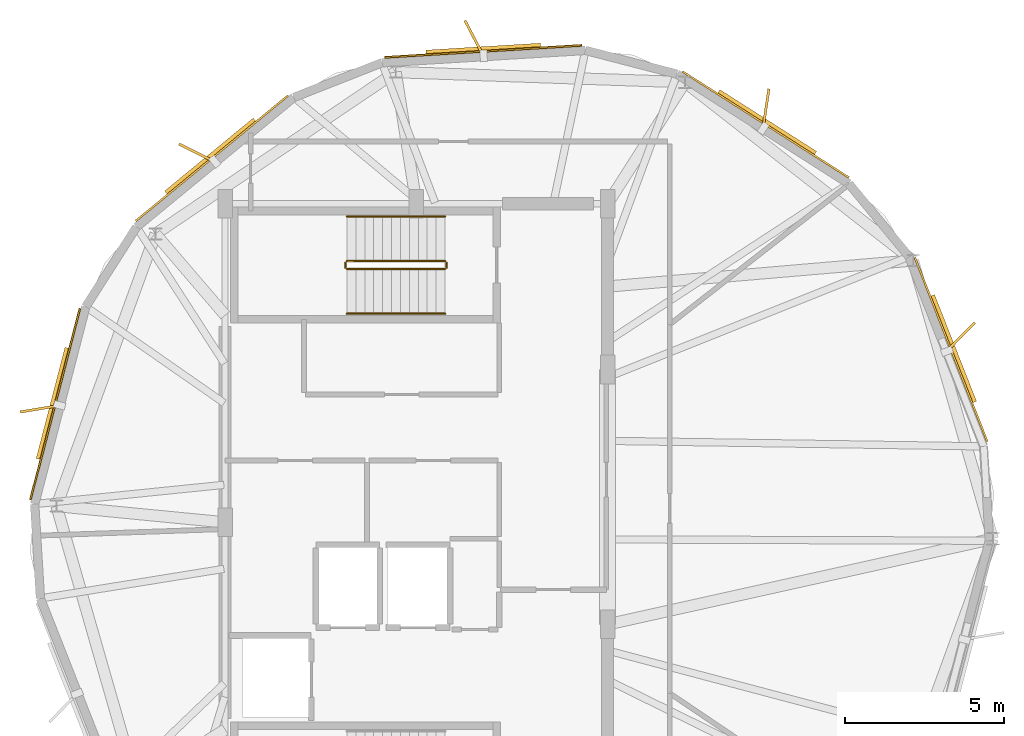
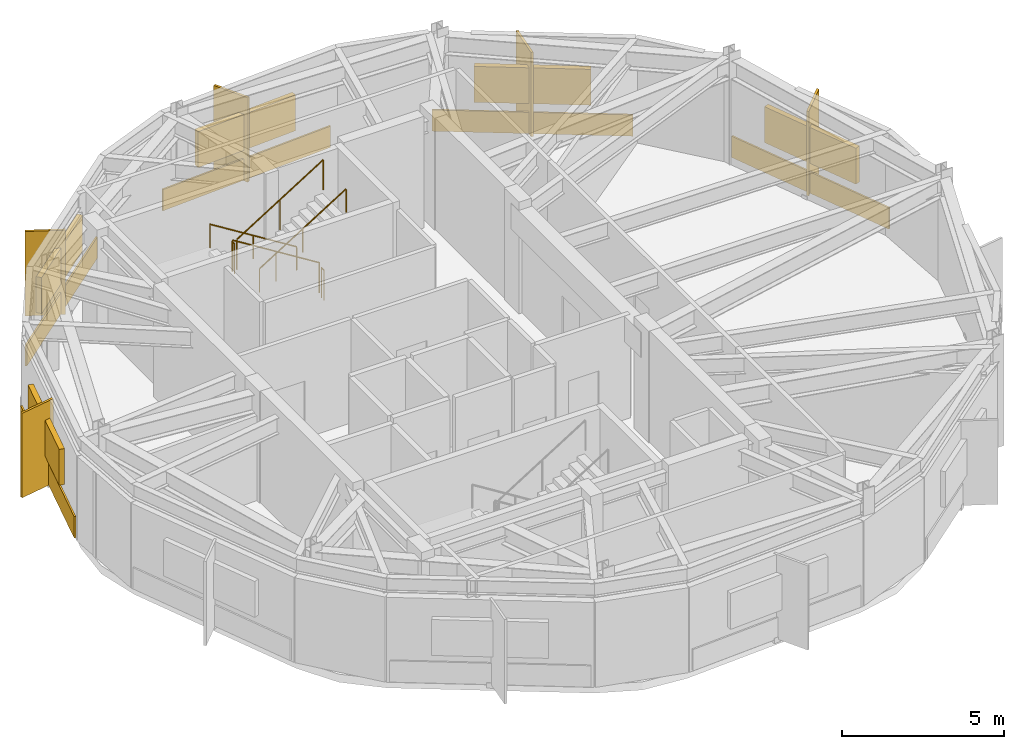
# One storey, part 6 of 6: 10 shading devices, 6 railings, 5 coverings.
"""IFC4 building model written with IfcOpenShell, lengths in metres."""

from ifc_helpers import new_model, si_unit, direction, frame, origin, origin_2d, place, context, subcontext, project, spatial, rectangle, circle, extrude, material, layer, layer_set, type_object, element, save


model = new_model("IFC4")

# Units and contexts
model_context = context("Model", 3, precision=1e-05, world=origin(), true_north=direction((0.0, 1.0)))
body_context = subcontext(model_context, "Body", "Model", "MODEL_VIEW")
ifc_project = project(units=[si_unit("LENGTHUNIT", "METRE"), si_unit("AREAUNIT", "SQUARE_METRE"), si_unit("VOLUMEUNIT", "CUBIC_METRE"), si_unit("PLANEANGLEUNIT", "RADIAN"), si_unit("MASSUNIT", "GRAM", prefix="KILO")], contexts=[model_context])

# Site, building, storey
site_placement = place(None, origin())
site = spatial("IfcSite", under=ifc_project, at=site_placement, CompositionType="ELEMENT")
building_placement = place(site_placement, origin())
building = spatial("IfcBuilding", under=site, at=building_placement, Name="Soratama Intermodal Tower", CompositionType="ELEMENT")
storey_placement = place(building_placement, frame((0.0, 0.0, 314.050048828125)))
storey = spatial("IfcBuildingStorey", under=building, at=storey_placement, Name="L79", CompositionType="ELEMENT", Elevation=314.050048828125)

# Coverings
ifc_material_1 = material(Name="Honed Andean limestone cladding", Category="masonry")
ifc_layer_1 = layer(ifc_material_1, 0.06005859375)
ifc_layer_set_1 = layer_set([ifc_layer_1], Name="Honed Andean limestone cladding")
covering_type = type_object("IfcCoveringType", Name="CV-STONE-CLAD", PredefinedType="CLADDING", material=ifc_layer_set_1)
for number, where, z_axis, x_axis, name in (
    (1, (40.701171875, 39.779052734375, 0.0498046875), (0.0, 0.0, 1.0), (-0.998156047572, -0.06070012105, 0.0), "L79 Stone Cladding F01"),
    (2, (32.18603515625, 36.42822265625, 0.0498046875), (0.0, 0.0, 1.0), (-0.771846569558, -0.63580883374, 0.0), "L79 Stone Cladding F02"),
    (3, (27.2666015625, 28.712158203125, 0.0498046875), (0.0, 0.0, 1.0), (-0.250717936073, -0.968060182288, 0.0), "L79 Stone Cladding F03"),
    (4, (55.3779296875, 30.421630859375, 0.0498046875), (0.0, 0.0, 1.0), (-0.366176427403, 0.930545444358, 0.0), "L79 Stone Cladding F09"),
    (5, (49.559814453125, 37.484619140625, 0.0498046875), (0.0, 0.0, 1.0), (-0.84320384149, 0.537593974759, 0.0), "L79 Stone Cladding F10"),
):
    element("IfcCovering", number, at=place(storey_placement, frame(where, z_axis=z_axis, x_axis=x_axis)), inside=storey, type_object=covering_type, Name=name, PredefinedType="CLADDING", context=body_context, shape_type="SweptSolid", body=[
        extrude(rectangle(XDim=6.198486328125, YDim=0.06005859375, at=origin_2d()), origin(), (0.0, 0.0, 1.0), 0.800048828125),
    ])

# Railings
ifc_material_2 = material(Name="Painted steel stair guardrail", Category="steel")
railing_type_1 = type_object("IfcRailingType", Name="RL-STAIR-GUARD", PredefinedType="GUARDRAIL", material=ifc_material_2)
railing_1_placement = place(storey_placement, frame((39.5, 33.199951171875, 0.175048828125)))
element("IfcRailing", 6, at=railing_1_placement, inside=storey, type_object=railing_type_1, Name="L79 ST-2 stair guard 1", PredefinedType="GUARDRAIL", context=body_context, shape_type="SweptSolid", body=[
    extrude(circle(Radius=0.02392578125, at=origin_2d()), frame((0.0, 0.0, 1.1259765625), z_axis=(-0.848028513186, 0.0, 0.529950602248), x_axis=(0.0, -1.0, 0.0)), (0.0, 0.0, 1.0), 3.632080078125),
    extrude(circle(Radius=0.02099609375, at=origin_2d()), origin(), (0.0, 0.0, 1.0), 1.101806640625),
    extrude(circle(Radius=0.02099609375, at=origin_2d()), frame((-1.5400390625, 0.0, 0.96240234375)), (0.0, 0.0, 1.0), 1.101806640625),
    extrude(circle(Radius=0.02099609375, at=origin_2d()), frame((-3.080078125, 0.0, 1.9248046875)), (0.0, 0.0, 1.0), 1.101806640625),
])
railing_2_placement = place(storey_placement, frame((36.3701171875, 33.14990234375, 2.099853515625)))
element("IfcRailing", 7, at=railing_2_placement, inside=storey, type_object=railing_type_1, Name="L79 ST-2 stair guard 2", PredefinedType="GUARDRAIL", context=body_context, shape_type="SweptSolid", body=[
    extrude(circle(Radius=0.02392578125, at=origin_2d()), frame((0.0, 0.0, 1.1259765625), z_axis=(0.0, -1.0, 0.0), x_axis=(1.0, 0.0, 0.0)), (0.0, 0.0, 1.0), 0.14990234375),
    extrude(circle(Radius=0.02099609375, at=origin_2d()), origin(), (0.0, 0.0, 1.0), 1.101806640625),
    extrude(circle(Radius=0.02099609375, at=origin_2d()), frame((0.0, -0.14990234375, 0.0)), (0.0, 0.0, 1.0), 1.101806640625),
])
railing_3_placement = place(storey_placement, frame((36.419921875, 32.949951171875, 2.27490234375)))
element("IfcRailing", 8, at=railing_3_placement, inside=storey, type_object=railing_type_1, Name="L79 ST-2 stair guard 3", PredefinedType="GUARDRAIL", context=body_context, shape_type="SweptSolid", body=[
    extrude(circle(Radius=0.02392578125, at=origin_2d()), frame((0.0, 0.0, 1.1259765625), z_axis=(0.847998304005, 0.0, 0.529998940003), x_axis=(0.0, 1.0, 0.0)), (0.0, 0.0, 1.0), 3.632080078125),
    extrude(circle(Radius=0.02099609375, at=origin_2d()), origin(), (0.0, 0.0, 1.0), 1.101806640625),
    extrude(circle(Radius=0.02099609375, at=origin_2d()), frame((1.5400390625, 0.0, 0.96240234375)), (0.0, 0.0, 1.0), 1.101806640625),
    extrude(circle(Radius=0.02099609375, at=origin_2d()), frame((3.080078125, 0.0, 1.925048828125)), (0.0, 0.0, 1.0), 1.101806640625),
])
railing_4_placement = place(storey_placement, frame((39.550048828125, 33.14990234375, 0.0)))
element("IfcRailing", 9, at=railing_4_placement, inside=storey, type_object=railing_type_1, Name="L79 ST-2 stair guard 4", PredefinedType="GUARDRAIL", context=body_context, shape_type="SweptSolid", body=[
    extrude(circle(Radius=0.02392578125, at=origin_2d()), frame((0.0, 0.0, 1.1259765625), z_axis=(0.0, -1.0, 0.0), x_axis=(1.0, 0.0, 0.0)), (0.0, 0.0, 1.0), 0.14990234375),
    extrude(circle(Radius=0.02099609375, at=origin_2d()), origin(), (0.0, 0.0, 1.0), 1.101806640625),
    extrude(circle(Radius=0.02099609375, at=origin_2d()), frame((0.0, -0.14990234375, 0.0)), (0.0, 0.0, 1.0), 1.101806640625),
])
ifc_material_3 = material(Name="Brushed stainless steel handrail", Category="steel")
railing_type_2 = type_object("IfcRailingType", Name="RL-STAIR-HAND", PredefinedType="HANDRAIL", material=ifc_material_3)
railing_5_placement = place(storey_placement, frame((39.5, 34.60009765625, 0.175048828125)))
element("IfcRailing", 10, at=railing_5_placement, inside=storey, type_object=railing_type_2, Name="L79 ST-2 stair handrail 1", PredefinedType="HANDRAIL", context=body_context, shape_type="SweptSolid", body=[
    extrude(circle(Radius=0.02392578125, at=origin_2d()), frame((0.0, 0.0, 0.8759765625), z_axis=(-0.848028513186, 0.0, 0.529950602248), x_axis=(0.0, -1.0, 0.0)), (0.0, 0.0, 1.0), 3.632080078125),
    extrude(circle(Radius=0.02099609375, at=origin_2d()), origin(), (0.0, 0.0, 1.0), 0.851806640625),
    extrude(circle(Radius=0.02099609375, at=origin_2d()), frame((-1.5400390625, 0.0, 0.96240234375)), (0.0, 0.0, 1.0), 0.851806640625),
    extrude(circle(Radius=0.02099609375, at=origin_2d()), frame((-3.080078125, 0.0, 1.9248046875)), (0.0, 0.0, 1.0), 0.851806640625),
])
railing_6_placement = place(storey_placement, frame((36.419921875, 31.550048828125, 2.27490234375)))
element("IfcRailing", 11, at=railing_6_placement, inside=storey, type_object=railing_type_2, Name="L79 ST-2 stair handrail 2", PredefinedType="HANDRAIL", context=body_context, shape_type="SweptSolid", body=[
    extrude(circle(Radius=0.02392578125, at=origin_2d()), frame((0.0, 0.0, 0.8759765625), z_axis=(0.847998304005, 0.0, 0.529998940003), x_axis=(0.0, 1.0, 0.0)), (0.0, 0.0, 1.0), 3.632080078125),
    extrude(circle(Radius=0.02099609375, at=origin_2d()), origin(), (0.0, 0.0, 1.0), 0.851806640625),
    extrude(circle(Radius=0.02099609375, at=origin_2d()), frame((1.5400390625, 0.0, 0.96240234375)), (0.0, 0.0, 1.0), 0.851806640625),
    extrude(circle(Radius=0.02099609375, at=origin_2d()), frame((3.080078125, 0.0, 1.925048828125)), (0.0, 0.0, 1.0), 0.851806640625),
])

# Shading devices
ifc_material_4 = material(Name="Champagne anodised aluminium solar fin", Category="aluminium")
ifc_layer_2 = layer(ifc_material_4, 0.080078125)
ifc_layer_set_2 = layer_set([ifc_layer_2], Name="Champagne anodised aluminium solar fin")
shading_device_type_1 = type_object("IfcShadingDeviceType", Name="SH-FIN-1250", PredefinedType="USERDEFINED", material=ifc_layer_set_2)
for number, where, z_axis, x_axis, name in (
    (12, (40.413330078125, 40.19140625, 0.02001953125), (0.0, 0.0, 1.0), (-0.461438959919, 0.887171959808, 0.0), "L79 Solar Fin F01-1"),
    (13, (31.710693359375, 36.5927734375, 0.02001953125), (0.0, 0.0, 1.0), (-0.894778554664, 0.446510176944, 0.0), "L79 Solar Fin F02-1"),
    (14, (26.785400390625, 28.56591796875, 0.02001953125), (0.0, 0.0, 1.0), (-0.986343153931, -0.16470331719, 0.0), "L79 Solar Fin F03-1"),
    (15, (55.68115234375, 30.822998046875, 0.02001953125), (0.0, 0.0, 1.0), (0.701158192968, 0.713005742217, 0.0), "L79 Solar Fin F09-1"),
    (16, (49.5693359375, 37.98779296875, 0.02001953125), (0.0, 0.0, 1.0), (0.148154633781, 0.988964207891, 0.0), "L79 Solar Fin F10-1"),
):
    element("IfcShadingDevice", number, at=place(storey_placement, frame(where, z_axis=z_axis, x_axis=x_axis)), inside=storey, type_object=shading_device_type_1, Name=name, ObjectType="FIN", PredefinedType="USERDEFINED", context=body_context, shape_type="SweptSolid", body=[
        extrude(rectangle(XDim=1.25, YDim=0.080078125, at=origin_2d()), origin(), (0.0, 0.0, 1.0), 3.175048828125),
    ])
ifc_material_5 = material(Name="Anodised aluminium weather louvre", Category="aluminium")
ifc_layer_3 = layer(ifc_material_5, 0.1201171875)
ifc_layer_set_3 = layer_set([ifc_layer_3], Name="Anodised aluminium weather louvre")
shading_device_type_2 = type_object("IfcShadingDeviceType", Name="SH-LOUVRE-PLANT", PredefinedType="JALOUSIE", material=ifc_layer_set_3)
for number, where, z_axis, x_axis, name in (
    (17, (40.697509765625, 39.8388671875, 1.1748046875), (0.0, 0.0, 1.0), (-0.998156047572, -0.06070012105, 0.0), "L79 Acoustic Louvre F01"),
    (18, (32.14794921875, 36.474609375, 1.1748046875), (0.0, 0.0, 1.0), (-0.771846569558, -0.63580883374, 0.0), "L79 Acoustic Louvre F02"),
    (19, (27.20849609375, 28.727294921875, 1.1748046875), (0.0, 0.0, 1.0), (-0.250717936073, -0.968060182288, 0.0), "L79 Acoustic Louvre F03"),
    (20, (55.43359375, 30.443603515625, 1.1748046875), (0.0, 0.0, 1.0), (-0.366176427403, 0.930545444358, 0.0), "L79 Acoustic Louvre F09"),
    (21, (49.592041015625, 37.535400390625, 1.1748046875), (0.0, 0.0, 1.0), (-0.84320384149, 0.537593974759, 0.0), "L79 Acoustic Louvre F10"),
):
    element("IfcShadingDevice", number, at=place(storey_placement, frame(where, z_axis=z_axis, x_axis=x_axis)), inside=storey, type_object=shading_device_type_2, Name=name, PredefinedType="JALOUSIE", context=body_context, shape_type="SweptSolid", body=[
        extrude(rectangle(XDim=3.60009765625, YDim=0.179931640625, at=origin_2d()), origin(), (0.0, 0.0, 1.0), 1.35009765625),
    ])

save(model, "model.ifc")
